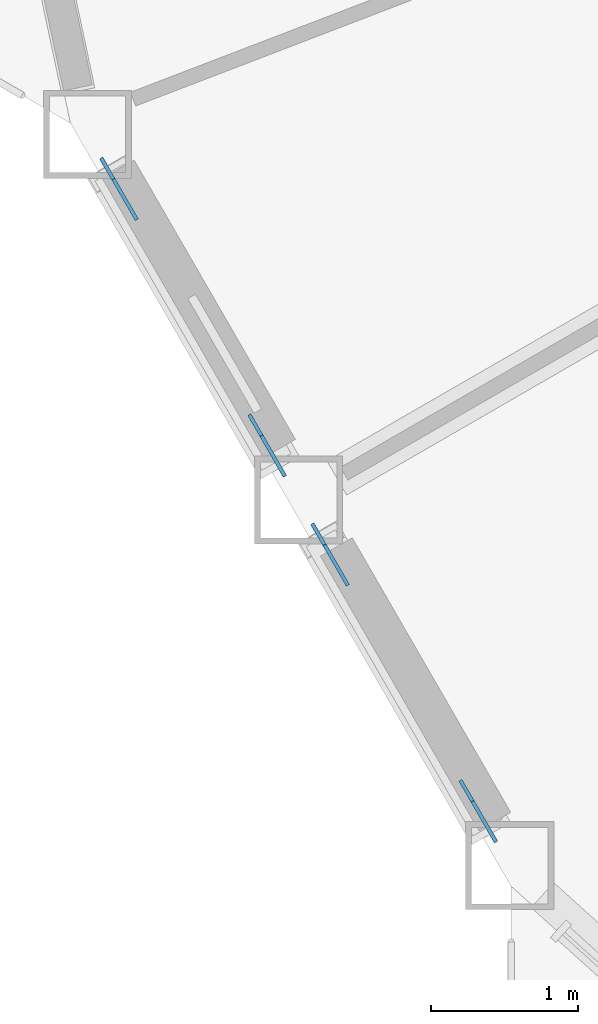
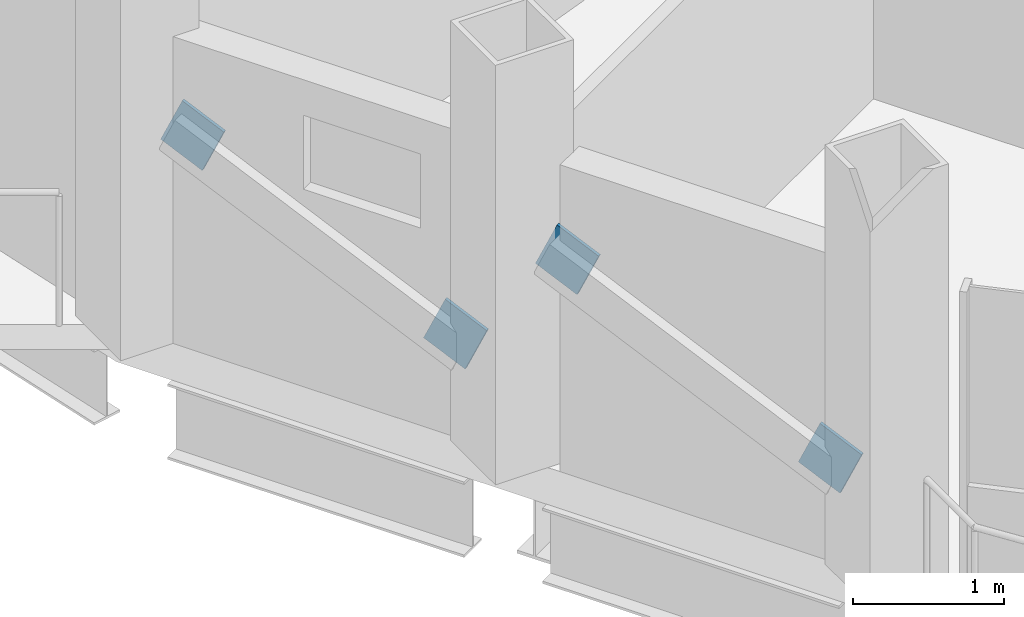
# One storey, part 19 of 26: 4 discrete accessories.
"""IFC4 building model written with IfcOpenShell, lengths in metres."""

from ifc_helpers import new_model, si_unit, direction, frame, origin, origin_2d, place, context, subcontext, project, spatial, rectangle, extrude, material, material_profile, profile_set, type_object, element, save


model = new_model("IFC4")

# Units and contexts
model_context = context("Model", 3, precision=1e-05, world=origin(), true_north=direction((0.0, 1.0)))
body_context = subcontext(model_context, "Body", "Model", "MODEL_VIEW")
ifc_project = project(units=[si_unit("LENGTHUNIT", "METRE"), si_unit("AREAUNIT", "SQUARE_METRE"), si_unit("VOLUMEUNIT", "CUBIC_METRE"), si_unit("PLANEANGLEUNIT", "RADIAN"), si_unit("MASSUNIT", "GRAM", prefix="KILO")], contexts=[model_context])

# Site, building, storey
site_placement = place(None, origin())
site = spatial("IfcSite", under=ifc_project, at=site_placement, CompositionType="ELEMENT")
building_placement = place(site_placement, origin())
building = spatial("IfcBuilding", under=site, at=building_placement, Name="Cormorant Prow Tower", CompositionType="ELEMENT")
storey_placement = place(building_placement, frame((0.0, 0.0, 342.60009765625)))
storey = spatial("IfcBuildingStorey", under=building, at=storey_placement, Name="L77", CompositionType="ELEMENT", Elevation=342.60009765625)

# Discrete accessories
ifc_material = material(Name="Structural steel ASTM A500 Gr C", Category="steel")
ifc_material_profile = material_profile(ifc_material, rectangle(XDim=0.02490234375, YDim=0.405029296875, at=origin_2d()), Name="Gusset plate 25x405")
ifc_profile_set = profile_set([ifc_material_profile], Name="Structural steel ASTM A500 Gr C")
discrete_accessory_type = type_object("IfcDiscreteAccessoryType", Name="Gusset plate 25x405", PredefinedType="BRACKET", material=ifc_profile_set)
discrete_accessory_1_placement = place(storey_placement, frame((-27.7265625, -15.328369140625, 0.86376953125), z_axis=(0.456109312262, -0.790171025676, -0.409382517274), x_axis=(0.866071029786, 0.499920965119, 0.0)))
element("IfcDiscreteAccessory", 1, at=discrete_accessory_1_placement, inside=storey, type_object=discrete_accessory_type, Name="Gusset plate GP3 L77.WSW00.g0", PredefinedType="BRACKET", context=body_context, shape_type="SweptSolid", body=[
    extrude(rectangle(XDim=0.02490234375, YDim=0.405029296875, at=origin_2d()), origin(), (0.0, 0.0, 1.0), 0.35009765625),
])
discrete_accessory_2_placement = place(storey_placement, frame((-28.574951171875, -13.85888671875, 1.6240234375), z_axis=(-0.456239480558, 0.790396531303, 0.408801736402), x_axis=(-0.866071029786, -0.499920965119, 0.0)))
element("IfcDiscreteAccessory", 2, at=discrete_accessory_2_placement, inside=storey, type_object=discrete_accessory_type, Name="Gusset plate GP3 L77.WSW00.g1", PredefinedType="BRACKET", context=body_context, shape_type="SweptSolid", body=[
    extrude(rectangle(XDim=0.02490234375, YDim=0.405029296875, at=origin_2d()), origin(), (0.0, 0.0, 1.0), 0.349853515625),
])
discrete_accessory_3_placement = place(storey_placement, frame((-26.289794921875, -17.817138671875, 0.86376953125), z_axis=(0.456661376387, -0.789919602208, -0.409252256395), x_axis=(0.865740004385, 0.50049400077, 0.0)))
element("IfcDiscreteAccessory", 3, at=discrete_accessory_3_placement, inside=storey, type_object=discrete_accessory_type, Name="Gusset plate GP3 L77.WSW01.g0", PredefinedType="BRACKET", context=body_context, shape_type="SweptSolid", body=[
    extrude(rectangle(XDim=0.02490234375, YDim=0.405029296875, at=origin_2d()), origin(), (0.0, 0.0, 1.0), 0.35009765625),
])
discrete_accessory_4_placement = place(storey_placement, frame((-27.137939453125, -16.34765625, 1.6240234375), z_axis=(-0.45649114423, 0.790134518758, 0.409027233209), x_axis=(-0.865879799044, -0.500252110048, 0.0)))
element("IfcDiscreteAccessory", 4, at=discrete_accessory_4_placement, inside=storey, type_object=discrete_accessory_type, Name="Gusset plate GP3 L77.WSW01.g1", PredefinedType="BRACKET", context=body_context, shape_type="SweptSolid", body=[
    extrude(rectangle(XDim=0.02490234375, YDim=0.405029296875, at=origin_2d()), origin(), (0.0, 0.0, 1.0), 0.349853515625),
])

save(model, "model.ifc")
